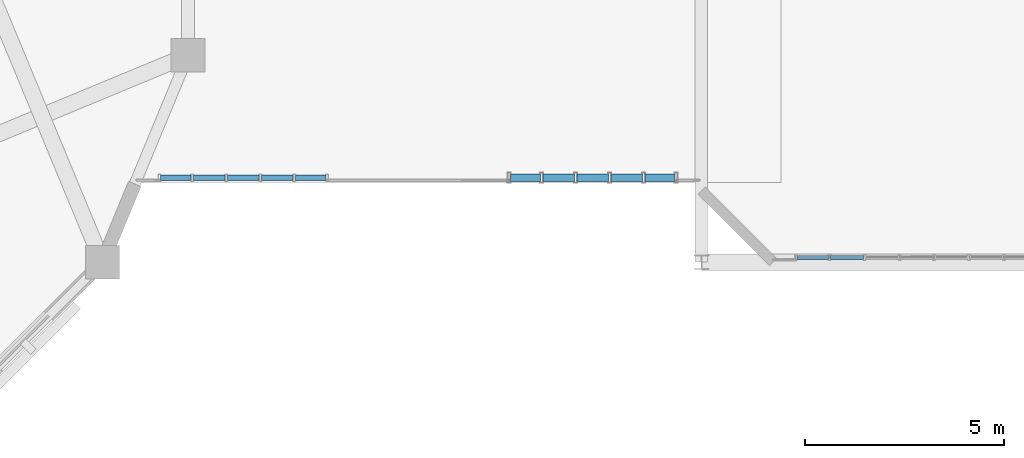
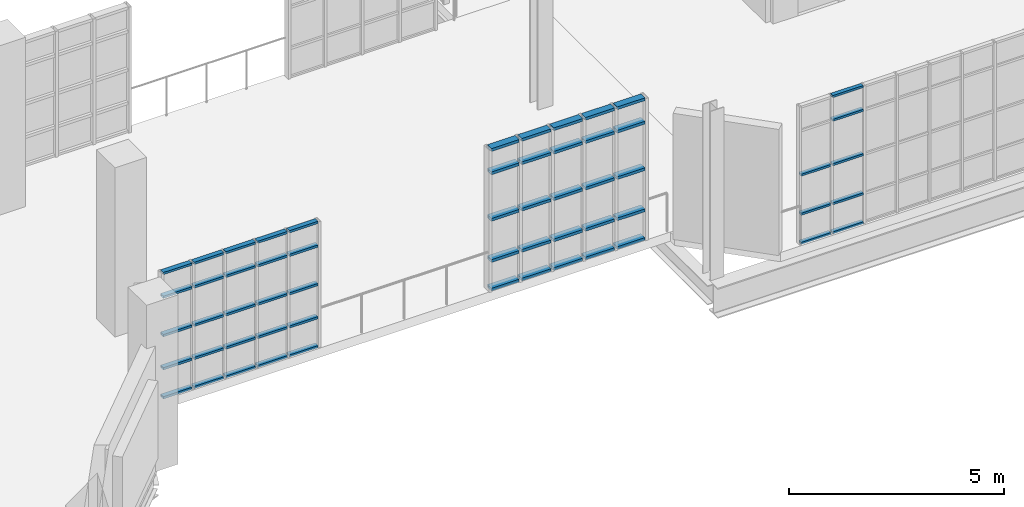
# One storey, part 61 of 122: 58 members, 3 elements without a shape of their own.
"""IFC4 building model written with IfcOpenShell, lengths in metres."""

from ifc_helpers import new_model, si_unit, direction, frame, origin, origin_2d, place, context, subcontext, project, spatial, hollow_rectangle, extrude, material, layer, layer_set, material_profile, profile_set, type_object, element, aggregate, save


model = new_model("IFC4")

# Units and contexts
model_context = context("Model", 3, precision=1e-05, world=origin(), true_north=direction((0.0, 1.0)))
body_context = subcontext(model_context, "Body", "Model", "MODEL_VIEW")
ifc_project = project(units=[si_unit("LENGTHUNIT", "METRE"), si_unit("AREAUNIT", "SQUARE_METRE"), si_unit("VOLUMEUNIT", "CUBIC_METRE"), si_unit("PLANEANGLEUNIT", "RADIAN"), si_unit("MASSUNIT", "GRAM", prefix="KILO"), si_unit("THERMODYNAMICTEMPERATUREUNIT", "KELVIN"), si_unit("POWERUNIT", "WATT")], contexts=[model_context])

# Site, building, storey
site_placement = place(None, origin())
site = spatial("IfcSite", under=ifc_project, at=site_placement, CompositionType="ELEMENT")
building_placement = place(site_placement, origin())
building = spatial("IfcBuilding", under=site, at=building_placement, Name="Zelmaris Science Centre", CompositionType="ELEMENT")
storey_placement = place(building_placement, frame((0.0, 0.0, 10.800048828125)))
storey = spatial("IfcBuildingStorey", under=building, at=storey_placement, Name="L02", CompositionType="ELEMENT", Elevation=10.800048828125)

# Curtain wall, members
ifc_material = material(Name="Anodised architectural aluminium 6063-T6", Category="aluminium")
ifc_layer_1 = layer(ifc_material, 0.219970703125, Name="Anodised architectural aluminium 6063-T6")
ifc_layer_set_1 = layer_set([ifc_layer_1], Name="Anodised architectural aluminium 6063-T6")
curtain_wall_type_1 = type_object("IfcCurtainWallType", Name="Curtain Wall CW-04", PredefinedType="USERDEFINED", material=ifc_layer_set_1)
curtain_wall_1_placement = place(storey_placement, origin())
curtain_wall_1 = element("IfcCurtainWall", 1, at=curtain_wall_1_placement, inside=storey, type_object=curtain_wall_type_1, Name="L02 Unitised curtain wall 256", ObjectType="GLAZED CURTAIN WALL", PredefinedType="USERDEFINED")
ifc_material_profile_1 = material_profile(ifc_material, hollow_rectangle(XDim=0.06005859375, YDim=0.110107421875, WallThickness=0.0029296875, at=origin_2d()), Name="ALU-TRN-60X110")
ifc_profile_set_1 = profile_set([ifc_material_profile_1], Name="Anodised architectural aluminium 6063-T6")
member_type_1 = type_object("IfcMemberType", Name="ALU-TRN-60X110", PredefinedType="USERDEFINED", material=ifc_profile_set_1)
member_1_placement = place(storey_placement, frame((58.0625, 64.119384765625, 0.010986328125), z_axis=(-0.999999955922, 0.000296912101, 0.0), x_axis=(0.0, 0.0, 1.0)))
member_1 = element("IfcMember", 2, at=member_1_placement, type_object=member_type_1, Name="CW-04 transom 6.1", ObjectType="TRANSOM", PredefinedType="USERDEFINED", context=body_context, shape_type="SweptSolid", body=[
    extrude(hollow_rectangle(XDim=0.06005859375, YDim=0.110107421875, WallThickness=0.0029296875, at=origin_2d()), origin(), (0.0, 0.0, 1.0), 0.822265625),
])
member_2_placement = place(storey_placement, frame((58.0625, 64.119384765625, 0.8349609375), z_axis=(-0.999999955922, 0.000296912101, 0.0), x_axis=(0.0, 0.0, 1.0)))
member_2 = element("IfcMember", 3, at=member_2_placement, type_object=member_type_1, Name="CW-04 transom 6.2", ObjectType="TRANSOM", PredefinedType="USERDEFINED", context=body_context, shape_type="SweptSolid", body=[
    extrude(hollow_rectangle(XDim=0.06005859375, YDim=0.110107421875, WallThickness=0.0029296875, at=origin_2d()), origin(), (0.0, 0.0, 1.0), 0.822265625),
])
member_3_placement = place(storey_placement, frame((58.0625, 64.119384765625, 1.94384765625), z_axis=(-0.999999955922, 0.000296912101, 0.0), x_axis=(0.0, 0.0, 1.0)))
member_3 = element("IfcMember", 4, at=member_3_placement, type_object=member_type_1, Name="CW-04 transom 6.3", ObjectType="TRANSOM", PredefinedType="USERDEFINED", context=body_context, shape_type="SweptSolid", body=[
    extrude(hollow_rectangle(XDim=0.06005859375, YDim=0.110107421875, WallThickness=0.0029296875, at=origin_2d()), origin(), (0.0, 0.0, 1.0), 0.822265625),
])
member_4_placement = place(storey_placement, frame((58.0625, 64.119384765625, 3.202880859375), z_axis=(-0.999999955922, 0.000296912101, 0.0), x_axis=(0.0, 0.0, 1.0)))
member_4 = element("IfcMember", 5, at=member_4_placement, type_object=member_type_1, Name="CW-04 transom 6.4", ObjectType="TRANSOM", PredefinedType="USERDEFINED", context=body_context, shape_type="SweptSolid", body=[
    extrude(hollow_rectangle(XDim=0.06005859375, YDim=0.110107421875, WallThickness=0.0029296875, at=origin_2d()), origin(), (0.0, 0.0, 1.0), 0.822265625),
])
member_5_placement = place(storey_placement, frame((58.0625, 64.119384765625, 3.876953125), z_axis=(-0.999999955922, 0.000296912101, 0.0), x_axis=(0.0, 0.0, 1.0)))
member_5 = element("IfcMember", 6, at=member_5_placement, type_object=member_type_1, Name="CW-04 transom 6.5", ObjectType="TRANSOM", PredefinedType="USERDEFINED", context=body_context, shape_type="SweptSolid", body=[
    extrude(hollow_rectangle(XDim=0.06005859375, YDim=0.110107421875, WallThickness=0.0029296875, at=origin_2d()), origin(), (0.0, 0.0, 1.0), 0.822265625),
])
member_6_placement = place(storey_placement, frame((57.188232421875, 64.11962890625, 0.010986328125), z_axis=(-0.999999952982, 0.000306654386, 0.0), x_axis=(0.0, 0.0, 1.0)))
member_6 = element("IfcMember", 7, at=member_6_placement, type_object=member_type_1, Name="CW-04 transom 7.1", ObjectType="TRANSOM", PredefinedType="USERDEFINED", context=body_context, shape_type="SweptSolid", body=[
    extrude(hollow_rectangle(XDim=0.06005859375, YDim=0.110107421875, WallThickness=0.0029296875, at=origin_2d()), origin(), (0.0, 0.0, 1.0), 0.796142578125),
])
member_7_placement = place(storey_placement, frame((57.188232421875, 64.11962890625, 0.8349609375), z_axis=(-0.999999952982, 0.000306654386, 0.0), x_axis=(0.0, 0.0, 1.0)))
member_7 = element("IfcMember", 8, at=member_7_placement, type_object=member_type_1, Name="CW-04 transom 7.2", ObjectType="TRANSOM", PredefinedType="USERDEFINED", context=body_context, shape_type="SweptSolid", body=[
    extrude(hollow_rectangle(XDim=0.06005859375, YDim=0.110107421875, WallThickness=0.0029296875, at=origin_2d()), origin(), (0.0, 0.0, 1.0), 0.796142578125),
])
member_8_placement = place(storey_placement, frame((57.188232421875, 64.11962890625, 1.94384765625), z_axis=(-0.999999952982, 0.000306654386, 0.0), x_axis=(0.0, 0.0, 1.0)))
member_8 = element("IfcMember", 9, at=member_8_placement, type_object=member_type_1, Name="CW-04 transom 7.3", ObjectType="TRANSOM", PredefinedType="USERDEFINED", context=body_context, shape_type="SweptSolid", body=[
    extrude(hollow_rectangle(XDim=0.06005859375, YDim=0.110107421875, WallThickness=0.0029296875, at=origin_2d()), origin(), (0.0, 0.0, 1.0), 0.796142578125),
])
aggregate(curtain_wall_1, [member_1, member_2, member_3, member_4, member_5, member_6, member_7, member_8])

ifc_layer_2 = layer(ifc_material, 0.2099609375, Name="Anodised architectural aluminium 6063-T6")
ifc_layer_set_2 = layer_set([ifc_layer_2], Name="Anodised architectural aluminium 6063-T6")
curtain_wall_type_2 = type_object("IfcCurtainWallType", Name="Curtain Wall CW-03", PredefinedType="USERDEFINED", material=ifc_layer_set_2)
curtain_wall_2_placement = place(storey_placement, origin())
curtain_wall_2 = element("IfcCurtainWall", 10, at=curtain_wall_2_placement, inside=storey, type_object=curtain_wall_type_2, Name="L02 Unitised curtain wall 259", ObjectType="GLAZED CURTAIN WALL", PredefinedType="USERDEFINED")
ifc_material_profile_2 = material_profile(ifc_material, hollow_rectangle(XDim=0.06494140625, YDim=0.1298828125, WallThickness=0.00341796875, at=origin_2d()), Name="ALU-TRN-65X130")
ifc_profile_set_2 = profile_set([ifc_material_profile_2], Name="Anodised architectural aluminium 6063-T6")
member_type_2 = type_object("IfcMemberType", Name="ALU-TRN-65X130", PredefinedType="USERDEFINED", material=ifc_profile_set_2)
member_9_placement = place(storey_placement, frame((44.582275390625, 66.11962890625, 0.013427734375), z_axis=(-1.0, 0.0, 0.0), x_axis=(0.0, 0.0, 1.0)))
member_9 = element("IfcMember", 11, at=member_9_placement, type_object=member_type_2, Name="CW-03 transom 1.1", ObjectType="TRANSOM", PredefinedType="USERDEFINED", context=body_context, shape_type="SweptSolid", body=[
    extrude(hollow_rectangle(XDim=0.06494140625, YDim=0.1298828125, WallThickness=0.00341796875, at=origin_2d()), origin(), (0.0, 0.0, 1.0), 0.767333984375),
])
member_10_placement = place(storey_placement, frame((44.582275390625, 66.11962890625, 0.8349609375), z_axis=(-1.0, 0.0, 0.0), x_axis=(0.0, 0.0, 1.0)))
member_10 = element("IfcMember", 12, at=member_10_placement, type_object=member_type_2, Name="CW-03 transom 1.2", ObjectType="TRANSOM", PredefinedType="USERDEFINED", context=body_context, shape_type="SweptSolid", body=[
    extrude(hollow_rectangle(XDim=0.06494140625, YDim=0.1298828125, WallThickness=0.00341796875, at=origin_2d()), origin(), (0.0, 0.0, 1.0), 0.767333984375),
])
member_11_placement = place(storey_placement, frame((44.582275390625, 66.11962890625, 1.77490234375), z_axis=(-1.0, 0.0, 0.0), x_axis=(0.0, 0.0, 1.0)))
member_11 = element("IfcMember", 13, at=member_11_placement, type_object=member_type_2, Name="CW-03 transom 1.3", ObjectType="TRANSOM", PredefinedType="USERDEFINED", context=body_context, shape_type="SweptSolid", body=[
    extrude(hollow_rectangle(XDim=0.06494140625, YDim=0.1298828125, WallThickness=0.00341796875, at=origin_2d()), origin(), (0.0, 0.0, 1.0), 0.767333984375),
])
member_12_placement = place(storey_placement, frame((44.582275390625, 66.11962890625, 2.864990234375), z_axis=(-1.0, 0.0, 0.0), x_axis=(0.0, 0.0, 1.0)))
member_12 = element("IfcMember", 14, at=member_12_placement, type_object=member_type_2, Name="CW-03 transom 1.4", ObjectType="TRANSOM", PredefinedType="USERDEFINED", context=body_context, shape_type="SweptSolid", body=[
    extrude(hollow_rectangle(XDim=0.06494140625, YDim=0.1298828125, WallThickness=0.00341796875, at=origin_2d()), origin(), (0.0, 0.0, 1.0), 0.767333984375),
])
member_13_placement = place(storey_placement, frame((44.582275390625, 66.11962890625, 3.536376953125), z_axis=(-1.0, 0.0, 0.0), x_axis=(0.0, 0.0, 1.0)))
member_13 = element("IfcMember", 15, at=member_13_placement, type_object=member_type_2, Name="CW-03 transom 1.5", ObjectType="TRANSOM", PredefinedType="USERDEFINED", context=body_context, shape_type="SweptSolid", body=[
    extrude(hollow_rectangle(XDim=0.06494140625, YDim=0.1298828125, WallThickness=0.00341796875, at=origin_2d()), origin(), (0.0, 0.0, 1.0), 0.767333984375),
])
member_14_placement = place(storey_placement, frame((43.758056640625, 66.11962890625, 0.013427734375), z_axis=(-1.0, 0.0, 0.0), x_axis=(0.0, 0.0, 1.0)))
member_14 = element("IfcMember", 16, at=member_14_placement, type_object=member_type_2, Name="CW-03 transom 2.1", ObjectType="TRANSOM", PredefinedType="USERDEFINED", context=body_context, shape_type="SweptSolid", body=[
    extrude(hollow_rectangle(XDim=0.06494140625, YDim=0.1298828125, WallThickness=0.00341796875, at=origin_2d()), origin(), (0.0, 0.0, 1.0), 0.795654296875),
])
member_15_placement = place(storey_placement, frame((43.758056640625, 66.11962890625, 0.8349609375), z_axis=(-1.0, 0.0, 0.0), x_axis=(0.0, 0.0, 1.0)))
member_15 = element("IfcMember", 17, at=member_15_placement, type_object=member_type_2, Name="CW-03 transom 2.2", ObjectType="TRANSOM", PredefinedType="USERDEFINED", context=body_context, shape_type="SweptSolid", body=[
    extrude(hollow_rectangle(XDim=0.06494140625, YDim=0.1298828125, WallThickness=0.00341796875, at=origin_2d()), origin(), (0.0, 0.0, 1.0), 0.795654296875),
])
member_16_placement = place(storey_placement, frame((43.758056640625, 66.11962890625, 1.77490234375), z_axis=(-1.0, 0.0, 0.0), x_axis=(0.0, 0.0, 1.0)))
member_16 = element("IfcMember", 18, at=member_16_placement, type_object=member_type_2, Name="CW-03 transom 2.3", ObjectType="TRANSOM", PredefinedType="USERDEFINED", context=body_context, shape_type="SweptSolid", body=[
    extrude(hollow_rectangle(XDim=0.06494140625, YDim=0.1298828125, WallThickness=0.00341796875, at=origin_2d()), origin(), (0.0, 0.0, 1.0), 0.795654296875),
])
member_17_placement = place(storey_placement, frame((43.758056640625, 66.11962890625, 2.864990234375), z_axis=(-1.0, 0.0, 0.0), x_axis=(0.0, 0.0, 1.0)))
member_17 = element("IfcMember", 19, at=member_17_placement, type_object=member_type_2, Name="CW-03 transom 2.4", ObjectType="TRANSOM", PredefinedType="USERDEFINED", context=body_context, shape_type="SweptSolid", body=[
    extrude(hollow_rectangle(XDim=0.06494140625, YDim=0.1298828125, WallThickness=0.00341796875, at=origin_2d()), origin(), (0.0, 0.0, 1.0), 0.795654296875),
])
member_18_placement = place(storey_placement, frame((43.758056640625, 66.11962890625, 3.536376953125), z_axis=(-1.0, 0.0, 0.0), x_axis=(0.0, 0.0, 1.0)))
member_18 = element("IfcMember", 20, at=member_18_placement, type_object=member_type_2, Name="CW-03 transom 2.5", ObjectType="TRANSOM", PredefinedType="USERDEFINED", context=body_context, shape_type="SweptSolid", body=[
    extrude(hollow_rectangle(XDim=0.06494140625, YDim=0.1298828125, WallThickness=0.00341796875, at=origin_2d()), origin(), (0.0, 0.0, 1.0), 0.795654296875),
])
member_19_placement = place(storey_placement, frame((42.9052734375, 66.11962890625, 0.013427734375), z_axis=(-1.0, 0.0, 0.0), x_axis=(0.0, 0.0, 1.0)))
member_19 = element("IfcMember", 21, at=member_19_placement, type_object=member_type_2, Name="CW-03 transom 3.1", ObjectType="TRANSOM", PredefinedType="USERDEFINED", context=body_context, shape_type="SweptSolid", body=[
    extrude(hollow_rectangle(XDim=0.06494140625, YDim=0.1298828125, WallThickness=0.00341796875, at=origin_2d()), origin(), (0.0, 0.0, 1.0), 0.795654296875),
])
member_20_placement = place(storey_placement, frame((42.9052734375, 66.11962890625, 0.8349609375), z_axis=(-1.0, 0.0, 0.0), x_axis=(0.0, 0.0, 1.0)))
member_20 = element("IfcMember", 22, at=member_20_placement, type_object=member_type_2, Name="CW-03 transom 3.2", ObjectType="TRANSOM", PredefinedType="USERDEFINED", context=body_context, shape_type="SweptSolid", body=[
    extrude(hollow_rectangle(XDim=0.06494140625, YDim=0.1298828125, WallThickness=0.00341796875, at=origin_2d()), origin(), (0.0, 0.0, 1.0), 0.795654296875),
])
member_21_placement = place(storey_placement, frame((42.9052734375, 66.11962890625, 1.77490234375), z_axis=(-1.0, 0.0, 0.0), x_axis=(0.0, 0.0, 1.0)))
member_21 = element("IfcMember", 23, at=member_21_placement, type_object=member_type_2, Name="CW-03 transom 3.3", ObjectType="TRANSOM", PredefinedType="USERDEFINED", context=body_context, shape_type="SweptSolid", body=[
    extrude(hollow_rectangle(XDim=0.06494140625, YDim=0.1298828125, WallThickness=0.00341796875, at=origin_2d()), origin(), (0.0, 0.0, 1.0), 0.795654296875),
])
member_22_placement = place(storey_placement, frame((42.9052734375, 66.11962890625, 2.864990234375), z_axis=(-1.0, 0.0, 0.0), x_axis=(0.0, 0.0, 1.0)))
member_22 = element("IfcMember", 24, at=member_22_placement, type_object=member_type_2, Name="CW-03 transom 3.4", ObjectType="TRANSOM", PredefinedType="USERDEFINED", context=body_context, shape_type="SweptSolid", body=[
    extrude(hollow_rectangle(XDim=0.06494140625, YDim=0.1298828125, WallThickness=0.00341796875, at=origin_2d()), origin(), (0.0, 0.0, 1.0), 0.795654296875),
])
member_23_placement = place(storey_placement, frame((42.9052734375, 66.11962890625, 3.536376953125), z_axis=(-1.0, 0.0, 0.0), x_axis=(0.0, 0.0, 1.0)))
member_23 = element("IfcMember", 25, at=member_23_placement, type_object=member_type_2, Name="CW-03 transom 3.5", ObjectType="TRANSOM", PredefinedType="USERDEFINED", context=body_context, shape_type="SweptSolid", body=[
    extrude(hollow_rectangle(XDim=0.06494140625, YDim=0.1298828125, WallThickness=0.00341796875, at=origin_2d()), origin(), (0.0, 0.0, 1.0), 0.795654296875),
])
member_24_placement = place(storey_placement, frame((42.052734375, 66.11962890625, 0.013427734375), z_axis=(-1.0, 0.0, 0.0), x_axis=(0.0, 0.0, 1.0)))
member_24 = element("IfcMember", 26, at=member_24_placement, type_object=member_type_2, Name="CW-03 transom 4.1", ObjectType="TRANSOM", PredefinedType="USERDEFINED", context=body_context, shape_type="SweptSolid", body=[
    extrude(hollow_rectangle(XDim=0.06494140625, YDim=0.1298828125, WallThickness=0.00341796875, at=origin_2d()), origin(), (0.0, 0.0, 1.0), 0.795654296875),
])
member_25_placement = place(storey_placement, frame((42.052734375, 66.11962890625, 0.8349609375), z_axis=(-1.0, 0.0, 0.0), x_axis=(0.0, 0.0, 1.0)))
member_25 = element("IfcMember", 27, at=member_25_placement, type_object=member_type_2, Name="CW-03 transom 4.2", ObjectType="TRANSOM", PredefinedType="USERDEFINED", context=body_context, shape_type="SweptSolid", body=[
    extrude(hollow_rectangle(XDim=0.06494140625, YDim=0.1298828125, WallThickness=0.00341796875, at=origin_2d()), origin(), (0.0, 0.0, 1.0), 0.795654296875),
])
member_26_placement = place(storey_placement, frame((42.052734375, 66.11962890625, 1.77490234375), z_axis=(-1.0, 0.0, 0.0), x_axis=(0.0, 0.0, 1.0)))
member_26 = element("IfcMember", 28, at=member_26_placement, type_object=member_type_2, Name="CW-03 transom 4.3", ObjectType="TRANSOM", PredefinedType="USERDEFINED", context=body_context, shape_type="SweptSolid", body=[
    extrude(hollow_rectangle(XDim=0.06494140625, YDim=0.1298828125, WallThickness=0.00341796875, at=origin_2d()), origin(), (0.0, 0.0, 1.0), 0.795654296875),
])
member_27_placement = place(storey_placement, frame((42.052734375, 66.11962890625, 2.864990234375), z_axis=(-1.0, 0.0, 0.0), x_axis=(0.0, 0.0, 1.0)))
member_27 = element("IfcMember", 29, at=member_27_placement, type_object=member_type_2, Name="CW-03 transom 4.4", ObjectType="TRANSOM", PredefinedType="USERDEFINED", context=body_context, shape_type="SweptSolid", body=[
    extrude(hollow_rectangle(XDim=0.06494140625, YDim=0.1298828125, WallThickness=0.00341796875, at=origin_2d()), origin(), (0.0, 0.0, 1.0), 0.795654296875),
])
member_28_placement = place(storey_placement, frame((42.052734375, 66.11962890625, 3.536376953125), z_axis=(-1.0, 0.0, 0.0), x_axis=(0.0, 0.0, 1.0)))
member_28 = element("IfcMember", 30, at=member_28_placement, type_object=member_type_2, Name="CW-03 transom 4.5", ObjectType="TRANSOM", PredefinedType="USERDEFINED", context=body_context, shape_type="SweptSolid", body=[
    extrude(hollow_rectangle(XDim=0.06494140625, YDim=0.1298828125, WallThickness=0.00341796875, at=origin_2d()), origin(), (0.0, 0.0, 1.0), 0.795654296875),
])
member_29_placement = place(storey_placement, frame((41.199951171875, 66.11962890625, 0.013427734375), z_axis=(-1.0, 0.0, 0.0), x_axis=(0.0, 0.0, 1.0)))
member_29 = element("IfcMember", 31, at=member_29_placement, type_object=member_type_2, Name="CW-03 transom 5.1", ObjectType="TRANSOM", PredefinedType="USERDEFINED", context=body_context, shape_type="SweptSolid", body=[
    extrude(hollow_rectangle(XDim=0.06494140625, YDim=0.1298828125, WallThickness=0.00341796875, at=origin_2d()), origin(), (0.0, 0.0, 1.0), 0.76708984375),
])
member_30_placement = place(storey_placement, frame((41.199951171875, 66.11962890625, 0.8349609375), z_axis=(-1.0, 0.0, 0.0), x_axis=(0.0, 0.0, 1.0)))
member_30 = element("IfcMember", 32, at=member_30_placement, type_object=member_type_2, Name="CW-03 transom 5.2", ObjectType="TRANSOM", PredefinedType="USERDEFINED", context=body_context, shape_type="SweptSolid", body=[
    extrude(hollow_rectangle(XDim=0.06494140625, YDim=0.1298828125, WallThickness=0.00341796875, at=origin_2d()), origin(), (0.0, 0.0, 1.0), 0.76708984375),
])
member_31_placement = place(storey_placement, frame((41.199951171875, 66.11962890625, 1.77490234375), z_axis=(-1.0, 0.0, 0.0), x_axis=(0.0, 0.0, 1.0)))
member_31 = element("IfcMember", 33, at=member_31_placement, type_object=member_type_2, Name="CW-03 transom 5.3", ObjectType="TRANSOM", PredefinedType="USERDEFINED", context=body_context, shape_type="SweptSolid", body=[
    extrude(hollow_rectangle(XDim=0.06494140625, YDim=0.1298828125, WallThickness=0.00341796875, at=origin_2d()), origin(), (0.0, 0.0, 1.0), 0.76708984375),
])
member_32_placement = place(storey_placement, frame((41.199951171875, 66.11962890625, 2.864990234375), z_axis=(-1.0, 0.0, 0.0), x_axis=(0.0, 0.0, 1.0)))
member_32 = element("IfcMember", 34, at=member_32_placement, type_object=member_type_2, Name="CW-03 transom 5.4", ObjectType="TRANSOM", PredefinedType="USERDEFINED", context=body_context, shape_type="SweptSolid", body=[
    extrude(hollow_rectangle(XDim=0.06494140625, YDim=0.1298828125, WallThickness=0.00341796875, at=origin_2d()), origin(), (0.0, 0.0, 1.0), 0.76708984375),
])
member_33_placement = place(storey_placement, frame((41.199951171875, 66.11962890625, 3.536376953125), z_axis=(-1.0, 0.0, 0.0), x_axis=(0.0, 0.0, 1.0)))
member_33 = element("IfcMember", 35, at=member_33_placement, type_object=member_type_2, Name="CW-03 transom 5.5", ObjectType="TRANSOM", PredefinedType="USERDEFINED", context=body_context, shape_type="SweptSolid", body=[
    extrude(hollow_rectangle(XDim=0.06494140625, YDim=0.1298828125, WallThickness=0.00341796875, at=origin_2d()), origin(), (0.0, 0.0, 1.0), 0.76708984375),
])
aggregate(curtain_wall_2, [member_9, member_10, member_11, member_12, member_13, member_14, member_15, member_16, member_17, member_18, member_19, member_20, member_21, member_22, member_23, member_24, member_25, member_26, member_27, member_28, member_29, member_30, member_31, member_32, member_33])

ifc_layer_3 = layer(ifc_material, 0.18994140625, Name="Anodised architectural aluminium 6063-T6")
ifc_layer_set_3 = layer_set([ifc_layer_3], Name="Anodised architectural aluminium 6063-T6")
curtain_wall_type_3 = type_object("IfcCurtainWallType", Name="Curtain Wall CW-01", PredefinedType="USERDEFINED", material=ifc_layer_set_3)
curtain_wall_3_placement = place(storey_placement, origin())
curtain_wall_3 = element("IfcCurtainWall", 36, at=curtain_wall_3_placement, inside=storey, type_object=curtain_wall_type_3, Name="L02 Unitised curtain wall 257", ObjectType="GLAZED CURTAIN WALL", PredefinedType="USERDEFINED")
ifc_material_profile_3 = material_profile(ifc_material, hollow_rectangle(XDim=0.080078125, YDim=0.18994140625, WallThickness=0.00439453125, at=origin_2d()), Name="ALU-TRN-80X190")
ifc_profile_set_3 = profile_set([ifc_material_profile_3], Name="Anodised architectural aluminium 6063-T6")
member_type_3 = type_object("IfcMemberType", Name="ALU-TRN-80X190", PredefinedType="USERDEFINED", material=ifc_profile_set_3)
member_34_placement = place(storey_placement, frame((53.333984375, 66.11962890625, 0.02099609375), z_axis=(-1.0, 0.0, 0.0), x_axis=(0.0, 0.0, 1.0)))
member_34 = element("IfcMember", 37, at=member_34_placement, type_object=member_type_3, Name="CW-01 transom 1.1", ObjectType="TRANSOM", PredefinedType="USERDEFINED", context=body_context, shape_type="SweptSolid", body=[
    extrude(hollow_rectangle(XDim=0.080078125, YDim=0.18994140625, WallThickness=0.00439453125, at=origin_2d()), origin(), (0.0, 0.0, 1.0), 0.74462890625),
])
member_35_placement = place(storey_placement, frame((53.333984375, 66.11962890625, 0.8349609375), z_axis=(-1.0, 0.0, 0.0), x_axis=(0.0, 0.0, 1.0)))
member_35 = element("IfcMember", 38, at=member_35_placement, type_object=member_type_3, Name="CW-01 transom 1.2", ObjectType="TRANSOM", PredefinedType="USERDEFINED", context=body_context, shape_type="SweptSolid", body=[
    extrude(hollow_rectangle(XDim=0.080078125, YDim=0.18994140625, WallThickness=0.00439453125, at=origin_2d()), origin(), (0.0, 0.0, 1.0), 0.74462890625),
])
member_36_placement = place(storey_placement, frame((53.333984375, 66.11962890625, 2.00244140625), z_axis=(-1.0, 0.0, 0.0), x_axis=(0.0, 0.0, 1.0)))
member_36 = element("IfcMember", 39, at=member_36_placement, type_object=member_type_3, Name="CW-01 transom 1.3", ObjectType="TRANSOM", PredefinedType="USERDEFINED", context=body_context, shape_type="SweptSolid", body=[
    extrude(hollow_rectangle(XDim=0.080078125, YDim=0.18994140625, WallThickness=0.00439453125, at=origin_2d()), origin(), (0.0, 0.0, 1.0), 0.74462890625),
])
member_37_placement = place(storey_placement, frame((53.333984375, 66.11962890625, 3.320068359375), z_axis=(-1.0, 0.0, 0.0), x_axis=(0.0, 0.0, 1.0)))
member_37 = element("IfcMember", 40, at=member_37_placement, type_object=member_type_3, Name="CW-01 transom 1.4", ObjectType="TRANSOM", PredefinedType="USERDEFINED", context=body_context, shape_type="SweptSolid", body=[
    extrude(hollow_rectangle(XDim=0.080078125, YDim=0.18994140625, WallThickness=0.00439453125, at=origin_2d()), origin(), (0.0, 0.0, 1.0), 0.74462890625),
])
member_38_placement = place(storey_placement, frame((53.333984375, 66.11962890625, 3.98388671875), z_axis=(-1.0, 0.0, 0.0), x_axis=(0.0, 0.0, 1.0)))
member_38 = element("IfcMember", 41, at=member_38_placement, type_object=member_type_3, Name="CW-01 transom 1.5", ObjectType="TRANSOM", PredefinedType="USERDEFINED", context=body_context, shape_type="SweptSolid", body=[
    extrude(hollow_rectangle(XDim=0.080078125, YDim=0.18994140625, WallThickness=0.00439453125, at=origin_2d()), origin(), (0.0, 0.0, 1.0), 0.74462890625),
])
member_39_placement = place(storey_placement, frame((52.517333984375, 66.11962890625, 0.02099609375), z_axis=(-1.0, 0.0, 0.0), x_axis=(0.0, 0.0, 1.0)))
member_39 = element("IfcMember", 42, at=member_39_placement, type_object=member_type_3, Name="CW-01 transom 2.1", ObjectType="TRANSOM", PredefinedType="USERDEFINED", context=body_context, shape_type="SweptSolid", body=[
    extrude(hollow_rectangle(XDim=0.080078125, YDim=0.18994140625, WallThickness=0.00439453125, at=origin_2d()), origin(), (0.0, 0.0, 1.0), 0.78076171875),
])
member_40_placement = place(storey_placement, frame((52.517333984375, 66.11962890625, 0.8349609375), z_axis=(-1.0, 0.0, 0.0), x_axis=(0.0, 0.0, 1.0)))
member_40 = element("IfcMember", 43, at=member_40_placement, type_object=member_type_3, Name="CW-01 transom 2.2", ObjectType="TRANSOM", PredefinedType="USERDEFINED", context=body_context, shape_type="SweptSolid", body=[
    extrude(hollow_rectangle(XDim=0.080078125, YDim=0.18994140625, WallThickness=0.00439453125, at=origin_2d()), origin(), (0.0, 0.0, 1.0), 0.78076171875),
])
member_41_placement = place(storey_placement, frame((52.517333984375, 66.11962890625, 2.00244140625), z_axis=(-1.0, 0.0, 0.0), x_axis=(0.0, 0.0, 1.0)))
member_41 = element("IfcMember", 44, at=member_41_placement, type_object=member_type_3, Name="CW-01 transom 2.3", ObjectType="TRANSOM", PredefinedType="USERDEFINED", context=body_context, shape_type="SweptSolid", body=[
    extrude(hollow_rectangle(XDim=0.080078125, YDim=0.18994140625, WallThickness=0.00439453125, at=origin_2d()), origin(), (0.0, 0.0, 1.0), 0.78076171875),
])
member_42_placement = place(storey_placement, frame((52.517333984375, 66.11962890625, 3.320068359375), z_axis=(-1.0, 0.0, 0.0), x_axis=(0.0, 0.0, 1.0)))
member_42 = element("IfcMember", 45, at=member_42_placement, type_object=member_type_3, Name="CW-01 transom 2.4", ObjectType="TRANSOM", PredefinedType="USERDEFINED", context=body_context, shape_type="SweptSolid", body=[
    extrude(hollow_rectangle(XDim=0.080078125, YDim=0.18994140625, WallThickness=0.00439453125, at=origin_2d()), origin(), (0.0, 0.0, 1.0), 0.78076171875),
])
member_43_placement = place(storey_placement, frame((52.517333984375, 66.11962890625, 3.98388671875), z_axis=(-1.0, 0.0, 0.0), x_axis=(0.0, 0.0, 1.0)))
member_43 = element("IfcMember", 46, at=member_43_placement, type_object=member_type_3, Name="CW-01 transom 2.5", ObjectType="TRANSOM", PredefinedType="USERDEFINED", context=body_context, shape_type="SweptSolid", body=[
    extrude(hollow_rectangle(XDim=0.080078125, YDim=0.18994140625, WallThickness=0.00439453125, at=origin_2d()), origin(), (0.0, 0.0, 1.0), 0.78076171875),
])
member_44_placement = place(storey_placement, frame((51.66455078125, 66.11962890625, 0.02099609375), z_axis=(-1.0, 0.0, 0.0), x_axis=(0.0, 0.0, 1.0)))
member_44 = element("IfcMember", 47, at=member_44_placement, type_object=member_type_3, Name="CW-01 transom 3.1", ObjectType="TRANSOM", PredefinedType="USERDEFINED", context=body_context, shape_type="SweptSolid", body=[
    extrude(hollow_rectangle(XDim=0.080078125, YDim=0.18994140625, WallThickness=0.00439453125, at=origin_2d()), origin(), (0.0, 0.0, 1.0), 0.780517578125),
])
member_45_placement = place(storey_placement, frame((51.66455078125, 66.11962890625, 0.8349609375), z_axis=(-1.0, 0.0, 0.0), x_axis=(0.0, 0.0, 1.0)))
member_45 = element("IfcMember", 48, at=member_45_placement, type_object=member_type_3, Name="CW-01 transom 3.2", ObjectType="TRANSOM", PredefinedType="USERDEFINED", context=body_context, shape_type="SweptSolid", body=[
    extrude(hollow_rectangle(XDim=0.080078125, YDim=0.18994140625, WallThickness=0.00439453125, at=origin_2d()), origin(), (0.0, 0.0, 1.0), 0.780517578125),
])
member_46_placement = place(storey_placement, frame((51.66455078125, 66.11962890625, 2.00244140625), z_axis=(-1.0, 0.0, 0.0), x_axis=(0.0, 0.0, 1.0)))
member_46 = element("IfcMember", 49, at=member_46_placement, type_object=member_type_3, Name="CW-01 transom 3.3", ObjectType="TRANSOM", PredefinedType="USERDEFINED", context=body_context, shape_type="SweptSolid", body=[
    extrude(hollow_rectangle(XDim=0.080078125, YDim=0.18994140625, WallThickness=0.00439453125, at=origin_2d()), origin(), (0.0, 0.0, 1.0), 0.780517578125),
])
member_47_placement = place(storey_placement, frame((51.66455078125, 66.11962890625, 3.320068359375), z_axis=(-1.0, 0.0, 0.0), x_axis=(0.0, 0.0, 1.0)))
member_47 = element("IfcMember", 50, at=member_47_placement, type_object=member_type_3, Name="CW-01 transom 3.4", ObjectType="TRANSOM", PredefinedType="USERDEFINED", context=body_context, shape_type="SweptSolid", body=[
    extrude(hollow_rectangle(XDim=0.080078125, YDim=0.18994140625, WallThickness=0.00439453125, at=origin_2d()), origin(), (0.0, 0.0, 1.0), 0.780517578125),
])
member_48_placement = place(storey_placement, frame((51.66455078125, 66.11962890625, 3.98388671875), z_axis=(-1.0, 0.0, 0.0), x_axis=(0.0, 0.0, 1.0)))
member_48 = element("IfcMember", 51, at=member_48_placement, type_object=member_type_3, Name="CW-01 transom 3.5", ObjectType="TRANSOM", PredefinedType="USERDEFINED", context=body_context, shape_type="SweptSolid", body=[
    extrude(hollow_rectangle(XDim=0.080078125, YDim=0.18994140625, WallThickness=0.00439453125, at=origin_2d()), origin(), (0.0, 0.0, 1.0), 0.780517578125),
])
member_49_placement = place(storey_placement, frame((50.81201171875, 66.11962890625, 0.02099609375), z_axis=(-1.0, 0.0, 0.0), x_axis=(0.0, 0.0, 1.0)))
member_49 = element("IfcMember", 52, at=member_49_placement, type_object=member_type_3, Name="CW-01 transom 4.1", ObjectType="TRANSOM", PredefinedType="USERDEFINED", context=body_context, shape_type="SweptSolid", body=[
    extrude(hollow_rectangle(XDim=0.080078125, YDim=0.18994140625, WallThickness=0.00439453125, at=origin_2d()), origin(), (0.0, 0.0, 1.0), 0.78076171875),
])
member_50_placement = place(storey_placement, frame((50.81201171875, 66.11962890625, 0.8349609375), z_axis=(-1.0, 0.0, 0.0), x_axis=(0.0, 0.0, 1.0)))
member_50 = element("IfcMember", 53, at=member_50_placement, type_object=member_type_3, Name="CW-01 transom 4.2", ObjectType="TRANSOM", PredefinedType="USERDEFINED", context=body_context, shape_type="SweptSolid", body=[
    extrude(hollow_rectangle(XDim=0.080078125, YDim=0.18994140625, WallThickness=0.00439453125, at=origin_2d()), origin(), (0.0, 0.0, 1.0), 0.78076171875),
])
member_51_placement = place(storey_placement, frame((50.81201171875, 66.11962890625, 2.00244140625), z_axis=(-1.0, 0.0, 0.0), x_axis=(0.0, 0.0, 1.0)))
member_51 = element("IfcMember", 54, at=member_51_placement, type_object=member_type_3, Name="CW-01 transom 4.3", ObjectType="TRANSOM", PredefinedType="USERDEFINED", context=body_context, shape_type="SweptSolid", body=[
    extrude(hollow_rectangle(XDim=0.080078125, YDim=0.18994140625, WallThickness=0.00439453125, at=origin_2d()), origin(), (0.0, 0.0, 1.0), 0.78076171875),
])
member_52_placement = place(storey_placement, frame((50.81201171875, 66.11962890625, 3.320068359375), z_axis=(-1.0, 0.0, 0.0), x_axis=(0.0, 0.0, 1.0)))
member_52 = element("IfcMember", 55, at=member_52_placement, type_object=member_type_3, Name="CW-01 transom 4.4", ObjectType="TRANSOM", PredefinedType="USERDEFINED", context=body_context, shape_type="SweptSolid", body=[
    extrude(hollow_rectangle(XDim=0.080078125, YDim=0.18994140625, WallThickness=0.00439453125, at=origin_2d()), origin(), (0.0, 0.0, 1.0), 0.78076171875),
])
member_53_placement = place(storey_placement, frame((50.81201171875, 66.11962890625, 3.98388671875), z_axis=(-1.0, 0.0, 0.0), x_axis=(0.0, 0.0, 1.0)))
member_53 = element("IfcMember", 56, at=member_53_placement, type_object=member_type_3, Name="CW-01 transom 4.5", ObjectType="TRANSOM", PredefinedType="USERDEFINED", context=body_context, shape_type="SweptSolid", body=[
    extrude(hollow_rectangle(XDim=0.080078125, YDim=0.18994140625, WallThickness=0.00439453125, at=origin_2d()), origin(), (0.0, 0.0, 1.0), 0.78076171875),
])
member_54_placement = place(storey_placement, frame((49.959228515625, 66.11962890625, 0.02099609375), z_axis=(-1.0, 0.0, 0.0), x_axis=(0.0, 0.0, 1.0)))
member_54 = element("IfcMember", 57, at=member_54_placement, type_object=member_type_3, Name="CW-01 transom 5.1", ObjectType="TRANSOM", PredefinedType="USERDEFINED", context=body_context, shape_type="SweptSolid", body=[
    extrude(hollow_rectangle(XDim=0.080078125, YDim=0.18994140625, WallThickness=0.00439453125, at=origin_2d()), origin(), (0.0, 0.0, 1.0), 0.74462890625),
])
member_55_placement = place(storey_placement, frame((49.959228515625, 66.11962890625, 0.8349609375), z_axis=(-1.0, 0.0, 0.0), x_axis=(0.0, 0.0, 1.0)))
member_55 = element("IfcMember", 58, at=member_55_placement, type_object=member_type_3, Name="CW-01 transom 5.2", ObjectType="TRANSOM", PredefinedType="USERDEFINED", context=body_context, shape_type="SweptSolid", body=[
    extrude(hollow_rectangle(XDim=0.080078125, YDim=0.18994140625, WallThickness=0.00439453125, at=origin_2d()), origin(), (0.0, 0.0, 1.0), 0.74462890625),
])
member_56_placement = place(storey_placement, frame((49.959228515625, 66.11962890625, 2.00244140625), z_axis=(-1.0, 0.0, 0.0), x_axis=(0.0, 0.0, 1.0)))
member_56 = element("IfcMember", 59, at=member_56_placement, type_object=member_type_3, Name="CW-01 transom 5.3", ObjectType="TRANSOM", PredefinedType="USERDEFINED", context=body_context, shape_type="SweptSolid", body=[
    extrude(hollow_rectangle(XDim=0.080078125, YDim=0.18994140625, WallThickness=0.00439453125, at=origin_2d()), origin(), (0.0, 0.0, 1.0), 0.74462890625),
])
member_57_placement = place(storey_placement, frame((49.959228515625, 66.11962890625, 3.320068359375), z_axis=(-1.0, 0.0, 0.0), x_axis=(0.0, 0.0, 1.0)))
member_57 = element("IfcMember", 60, at=member_57_placement, type_object=member_type_3, Name="CW-01 transom 5.4", ObjectType="TRANSOM", PredefinedType="USERDEFINED", context=body_context, shape_type="SweptSolid", body=[
    extrude(hollow_rectangle(XDim=0.080078125, YDim=0.18994140625, WallThickness=0.00439453125, at=origin_2d()), origin(), (0.0, 0.0, 1.0), 0.74462890625),
])
member_58_placement = place(storey_placement, frame((49.959228515625, 66.11962890625, 3.98388671875), z_axis=(-1.0, 0.0, 0.0), x_axis=(0.0, 0.0, 1.0)))
member_58 = element("IfcMember", 61, at=member_58_placement, type_object=member_type_3, Name="CW-01 transom 5.5", ObjectType="TRANSOM", PredefinedType="USERDEFINED", context=body_context, shape_type="SweptSolid", body=[
    extrude(hollow_rectangle(XDim=0.080078125, YDim=0.18994140625, WallThickness=0.00439453125, at=origin_2d()), origin(), (0.0, 0.0, 1.0), 0.74462890625),
])
aggregate(curtain_wall_3, [member_34, member_35, member_36, member_37, member_38, member_39, member_40, member_41, member_42, member_43, member_44, member_45, member_46, member_47, member_48, member_49, member_50, member_51, member_52, member_53, member_54, member_55, member_56, member_57, member_58])

save(model, "model.ifc")
